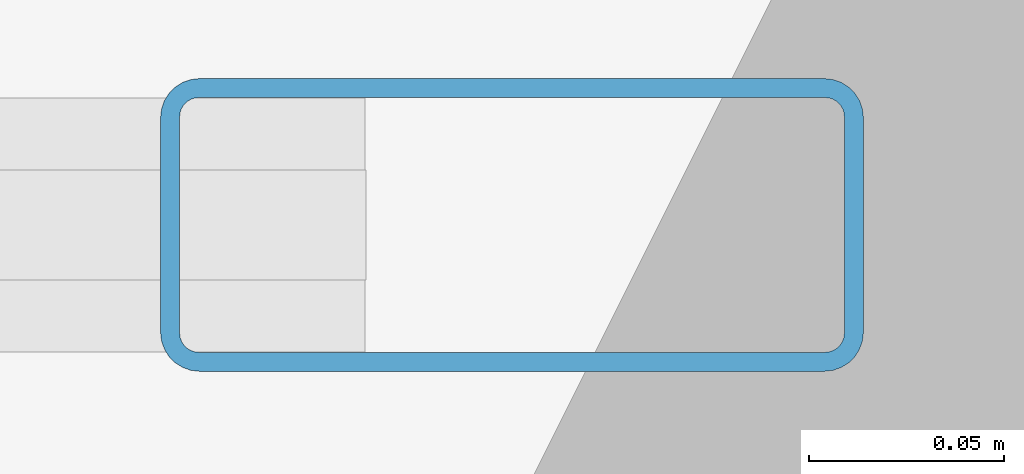
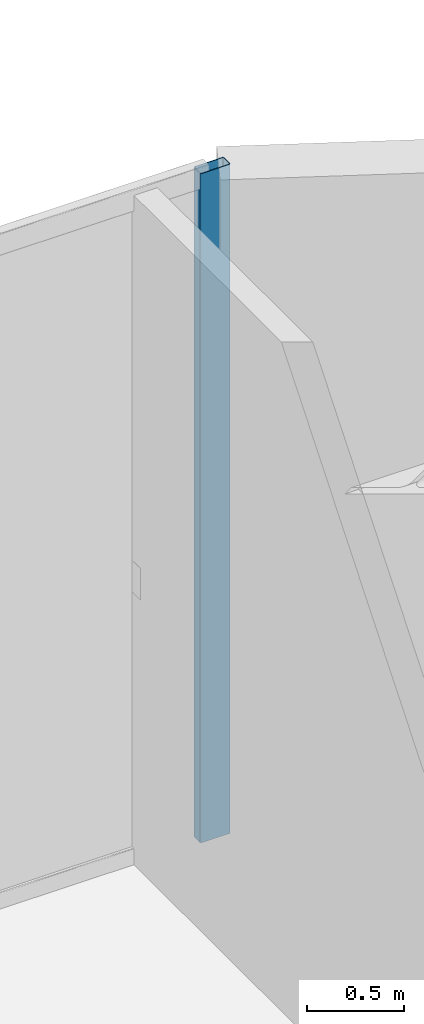
# One storey, part 27 of 40: 1 member, 1 element without a shape of its own.
"""IFC4 building model written with IfcOpenShell, lengths in metres."""

from ifc_helpers import new_model, si_unit, direction, frame, origin, origin_2d, place, context, subcontext, project, spatial, hollow_rectangle, extrude, material, layer, layer_set, material_profile, profile_set, type_object, element, aggregate, save


model = new_model("IFC4")

# Units and contexts
model_context = context("Model", 3, precision=1e-05, world=origin(), true_north=direction((0.0, 1.0)))
body_context = subcontext(model_context, "Body", "Model", "MODEL_VIEW")
ifc_project = project(units=[si_unit("LENGTHUNIT", "METRE"), si_unit("AREAUNIT", "SQUARE_METRE"), si_unit("VOLUMEUNIT", "CUBIC_METRE"), si_unit("PLANEANGLEUNIT", "RADIAN"), si_unit("MASSUNIT", "GRAM", prefix="KILO")], contexts=[model_context])

# Site, building, storey
site_placement = place(None, origin())
site = spatial("IfcSite", under=ifc_project, at=site_placement, CompositionType="ELEMENT")
building_placement = place(site_placement, origin())
building = spatial("IfcBuilding", under=site, at=building_placement, Name="Tarnavaz Court Tower", CompositionType="ELEMENT")
storey_placement = place(building_placement, frame((0.0, 0.0, 64.199951171875)))
storey = spatial("IfcBuildingStorey", under=building, at=storey_placement, Name="L17", CompositionType="ELEMENT", Elevation=64.199951171875)

# Curtain wall, member
ifc_material_1 = material(Name="Anodised Aluminium 6063-T6 and Solar Low-E Glazing", Category="aluminium")
ifc_layer = layer(ifc_material_1, 0.179931640625)
ifc_layer_set = layer_set([ifc_layer], Name="Anodised Aluminium 6063-T6 and Solar Low-E Glazing")
curtain_wall_type = type_object("IfcCurtainWallType", Name="CW-SYS-02", PredefinedType="NOTDEFINED", material=ifc_layer_set)
curtain_wall_placement = place(storey_placement, origin())
curtain_wall = element("IfcCurtainWall", 1, at=curtain_wall_placement, inside=storey, type_object=curtain_wall_type, Name="L17 Iwan Prow Curtain Wall 7", PredefinedType="NOTDEFINED")
ifc_material_2 = material(Name="Anodised Aluminium 6063-T6", Category="aluminium")
ifc_material_profile = material_profile(ifc_material_2, hollow_rectangle(XDim=0.074951171875, YDim=0.179931640625, WallThickness=0.0048828125, InnerFilletRadius=0.0048828125, OuterFilletRadius=0.010009765625, at=origin_2d()), Name="ALU RHS 180X75X5")
ifc_profile_set = profile_set([ifc_material_profile], Name="Anodised Aluminium 6063-T6")
member_type = type_object("IfcMemberType", Name="CW-MUL-180", PredefinedType="MULLION", material=ifc_profile_set)
member_placement = place(storey_placement, frame((4.3125, 25.050048828125, 0.0), z_axis=(0.0, 0.0, 1.0), x_axis=(0.0, 1.0, 0.0)))
member = element("IfcMember", 2, at=member_placement, type_object=member_type, Name="CW mullion 4", PredefinedType="MULLION", context=body_context, shape_type="SweptSolid", body=[
    extrude(hollow_rectangle(XDim=0.074951171875, YDim=0.179931640625, WallThickness=0.0048828125, InnerFilletRadius=0.0048828125, OuterFilletRadius=0.010009765625, at=origin_2d()), origin(), (0.0, 0.0, 1.0), 4.199951171875),
])
aggregate(curtain_wall, [member])

save(model, "model.ifc")
